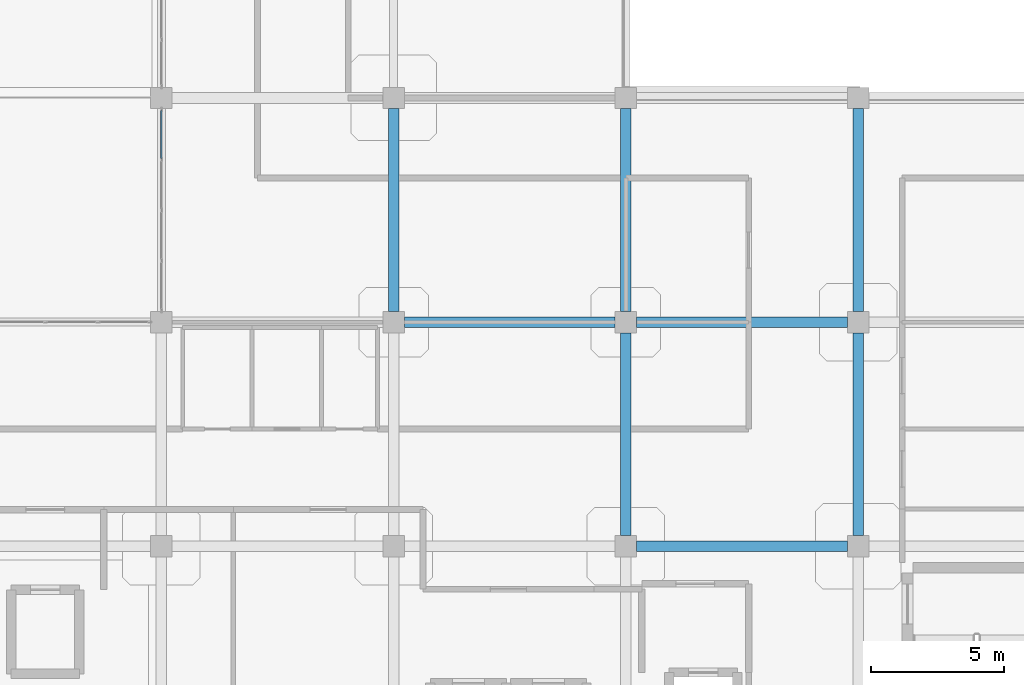
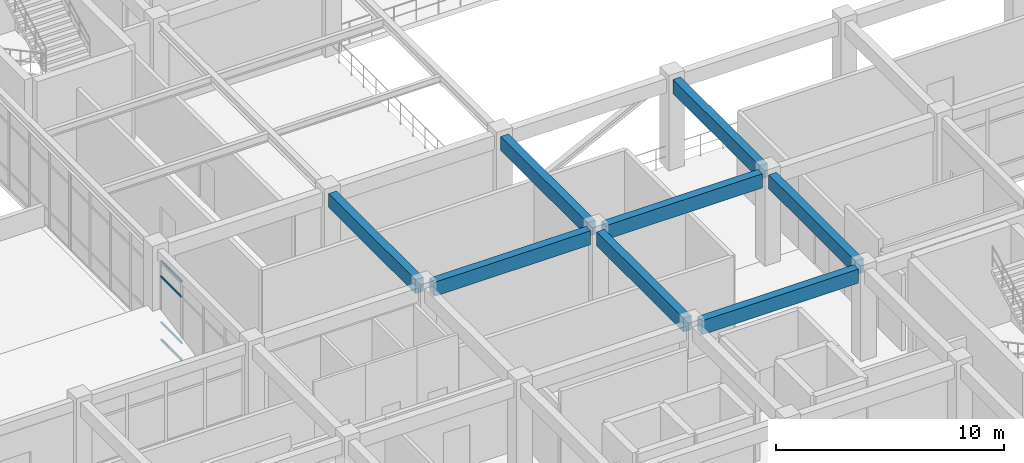
# One storey, part 22 of 124: 8 beams, 4 members, 1 element without a shape of its own.
"""IFC4 building model written with IfcOpenShell, lengths in metres."""

from ifc_helpers import new_model, si_unit, derived_unit, direction, frame, origin, origin_2d, place, context, subcontext, project, spatial, rectangle, hollow_rectangle, extrude, material, layer, layer_set, material_profile, profile_set, type_object, element, aggregate, save


model = new_model("IFC4")

# Units and contexts
model_context = context("Model", 3, precision=1e-05, world=origin(), true_north=direction((0.0, 1.0)))
body_context = subcontext(model_context, "Body", "Model", "MODEL_VIEW")
ifc_project = project(units=[si_unit("LENGTHUNIT", "METRE"), si_unit("AREAUNIT", "SQUARE_METRE"), si_unit("VOLUMEUNIT", "CUBIC_METRE"), si_unit("PLANEANGLEUNIT", "RADIAN"), si_unit("MASSUNIT", "GRAM", prefix="KILO"), derived_unit("THERMALTRANSMITTANCEUNIT", [(si_unit("MASSUNIT", "GRAM", prefix="KILO"), 1), (si_unit("TIMEUNIT", "SECOND"), -3), (si_unit("THERMODYNAMICTEMPERATUREUNIT", "KELVIN"), -1)])], contexts=[model_context])

# Site, building, storey
site_placement = place(None, origin())
site = spatial("IfcSite", under=ifc_project, at=site_placement, CompositionType="ELEMENT")
building_placement = place(site_placement, origin())
building = spatial("IfcBuilding", under=site, at=building_placement, Name="Qinzheling Arcade Emporium", CompositionType="ELEMENT")
storey_placement = place(building_placement, frame((0.0, 0.0, 16.5)))
storey = spatial("IfcBuildingStorey", under=building, at=storey_placement, Name="L04", CompositionType="ELEMENT", Elevation=16.5)

# Curtain wall, members
ifc_material_1 = material(Name="Anodised aluminium and solar-control double glazing", Category="aluminium")
ifc_layer = layer(ifc_material_1, 0.159912109375, Name="Anodised aluminium and solar-control double glazing", Category="aluminium")
ifc_layer_set = layer_set([ifc_layer], Name="Anodised aluminium and solar-control double glazing")
curtain_wall_type = type_object("IfcCurtainWallType", Name="Atrium Clerestory Curtain Wall", PredefinedType="NOTDEFINED", material=ifc_layer_set)
curtain_wall_placement = place(storey_placement, origin())
curtain_wall = element("IfcCurtainWall", 1, at=curtain_wall_placement, inside=storey, type_object=curtain_wall_type, Name="Curtain Wall CW-L04-240", PredefinedType="NOTDEFINED")
ifc_material_2 = material(Name="Anodised aluminium 6063-T6", Category="aluminium")
ifc_material_profile_1 = material_profile(ifc_material_2, hollow_rectangle(XDim=0.06005859375, YDim=0.1201171875, WallThickness=0.00390625, InnerFilletRadius=0.00390625, OuterFilletRadius=0.008056640625, at=origin_2d()), Name="RHS 120x60x4", Category="aluminium")
ifc_profile_set_1 = profile_set([ifc_material_profile_1], Name="Anodised aluminium 6063-T6")
member_type = type_object("IfcMemberType", Name="Curtain Wall Transom RHS120x60", PredefinedType="USERDEFINED", material=ifc_profile_set_1)
member_1_placement = place(storey_placement, frame((34.800048828125, 48.12890625, 0.030029296875), z_axis=(0.0, 1.0, 0.0), x_axis=(-1.0, 0.0, 0.0)))
member_1 = element("IfcMember", 2, at=member_1_placement, type_object=member_type, Name="CW03 transom 4.1", ObjectType="TRANSOM", PredefinedType="USERDEFINED", context=body_context, shape_type="SweptSolid", body=[
    extrude(hollow_rectangle(XDim=0.06005859375, YDim=0.1201171875, WallThickness=0.00390625, InnerFilletRadius=0.00390625, OuterFilletRadius=0.008056640625, at=origin_2d()), origin(), (0.0, 0.0, 1.0), 1.80908203125),
])
member_2_placement = place(storey_placement, frame((34.800048828125, 48.12890625, 0.949951171875), z_axis=(0.0, 1.0, 0.0), x_axis=(-1.0, 0.0, 0.0)))
member_2 = element("IfcMember", 3, at=member_2_placement, type_object=member_type, Name="CW03 transom 4.2", ObjectType="TRANSOM", PredefinedType="USERDEFINED", context=body_context, shape_type="SweptSolid", body=[
    extrude(hollow_rectangle(XDim=0.06005859375, YDim=0.1201171875, WallThickness=0.00390625, InnerFilletRadius=0.00390625, OuterFilletRadius=0.008056640625, at=origin_2d()), origin(), (0.0, 0.0, 1.0), 1.80908203125),
])
member_3_placement = place(storey_placement, frame((34.800048828125, 48.12890625, 3.405029296875), z_axis=(0.0, 1.0, 0.0), x_axis=(-1.0, 0.0, 0.0)))
member_3 = element("IfcMember", 4, at=member_3_placement, type_object=member_type, Name="CW03 transom 4.3", ObjectType="TRANSOM", PredefinedType="USERDEFINED", context=body_context, shape_type="SweptSolid", body=[
    extrude(hollow_rectangle(XDim=0.06005859375, YDim=0.1201171875, WallThickness=0.00390625, InnerFilletRadius=0.00390625, OuterFilletRadius=0.008056640625, at=origin_2d()), origin(), (0.0, 0.0, 1.0), 1.80908203125),
])
member_4_placement = place(storey_placement, frame((34.800048828125, 48.12890625, 4.22509765625), z_axis=(0.0, 1.0, 0.0), x_axis=(-1.0, 0.0, 0.0)))
member_4 = element("IfcMember", 5, at=member_4_placement, type_object=member_type, Name="CW03 transom 4.4", ObjectType="TRANSOM", PredefinedType="USERDEFINED", context=body_context, shape_type="SweptSolid", body=[
    extrude(hollow_rectangle(XDim=0.06005859375, YDim=0.1201171875, WallThickness=0.00390625, InnerFilletRadius=0.00390625, OuterFilletRadius=0.008056640625, at=origin_2d()), origin(), (0.0, 0.0, 1.0), 1.80908203125),
])
aggregate(curtain_wall, [member_1, member_2, member_3, member_4])

# Beams
ifc_material_3 = material(Name="Concrete C40", Category="concrete")
ifc_material_profile_2 = material_profile(ifc_material_3, rectangle(XDim=0.39990234375, YDim=0.75, at=origin_2d()), Name="RC 400x750", Category="concrete")
ifc_profile_set_2 = profile_set([ifc_material_profile_2], Name="Concrete C40")
beam_type = type_object("IfcBeamType", Name="RC Interior Tie Beam 400x750 C40", PredefinedType="BEAM", material=ifc_profile_set_2)
beam_1_placement = place(storey_placement, frame((52.60009765625, 33.60009765625, 4.445068359375), z_axis=(1.0, 0.0, 0.0), x_axis=(0.0, 1.0, 0.0)))
element("IfcBeam", 6, at=beam_1_placement, inside=storey, type_object=beam_type, Name="Beam BM-L04-X-E-7", PredefinedType="BEAM", context=body_context, shape_type="SweptSolid", body=[
    extrude(rectangle(XDim=0.39990234375, YDim=0.75, at=origin_2d()), origin(), (0.0, 0.0, 1.0), 7.89990234375),
])
beam_2_placement = place(storey_placement, frame((43.89990234375, 42.0, 4.445068359375), z_axis=(1.0, 0.0, 0.0), x_axis=(0.0, 1.0, 0.0)))
element("IfcBeam", 7, at=beam_2_placement, inside=storey, type_object=beam_type, Name="Beam BM-L04-X-F-6", PredefinedType="BEAM", context=body_context, shape_type="SweptSolid", body=[
    extrude(rectangle(XDim=0.39990234375, YDim=0.75, at=origin_2d()), origin(), (0.0, 0.0, 1.0), 7.900146484375),
])
beam_3_placement = place(storey_placement, frame((52.60009765625, 42.0, 4.445068359375), z_axis=(1.0, 0.0, 0.0), x_axis=(0.0, 1.0, 0.0)))
element("IfcBeam", 8, at=beam_3_placement, inside=storey, type_object=beam_type, Name="Beam BM-L04-X-F-7", PredefinedType="BEAM", context=body_context, shape_type="SweptSolid", body=[
    extrude(rectangle(XDim=0.39990234375, YDim=0.75, at=origin_2d()), origin(), (0.0, 0.0, 1.0), 7.89990234375),
])
for number, where, z_axis, x_axis, name in (
    (9, (43.5, 42.39990234375, 4.445068359375), (0.0, 1.0, 0.0), (-1.0, 0.0, 0.0), "Beam BM-L04-Y-6-F"),
    (10, (52.199951171875, 34.0, 4.445068359375), (0.0, 1.0, 0.0), (-1.0, 0.0, 0.0), "Beam BM-L04-Y-7-E"),
    (11, (52.199951171875, 42.39990234375, 4.445068359375), (0.0, 1.0, 0.0), (-1.0, 0.0, 0.0), "Beam BM-L04-Y-7-F"),
    (12, (60.89990234375, 34.0, 4.445068359375), (0.0, 1.0, 0.0), (-1.0, 0.0, 0.0), "Beam BM-L04-Y-8-E"),
    (13, (60.89990234375, 42.39990234375, 4.445068359375), (0.0, 1.0, 0.0), (-1.0, 0.0, 0.0), "Beam BM-L04-Y-8-F"),
):
    element("IfcBeam", number, at=place(storey_placement, frame(where, z_axis=z_axis, x_axis=x_axis)), inside=storey, type_object=beam_type, Name=name, PredefinedType="BEAM", context=body_context, shape_type="SweptSolid", body=[
        extrude(rectangle(XDim=0.39990234375, YDim=0.75, at=origin_2d()), origin(), (0.0, 0.0, 1.0), 7.60009765625),
    ])

save(model, "model.ifc")
